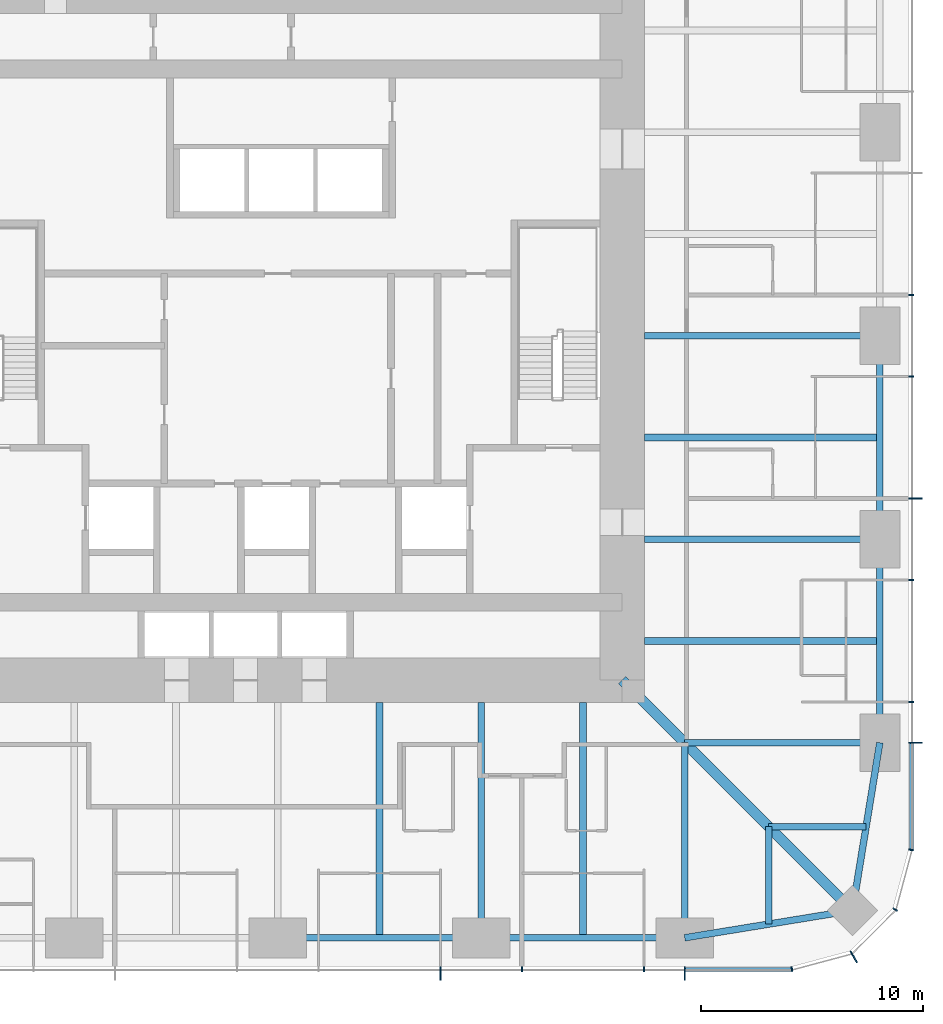
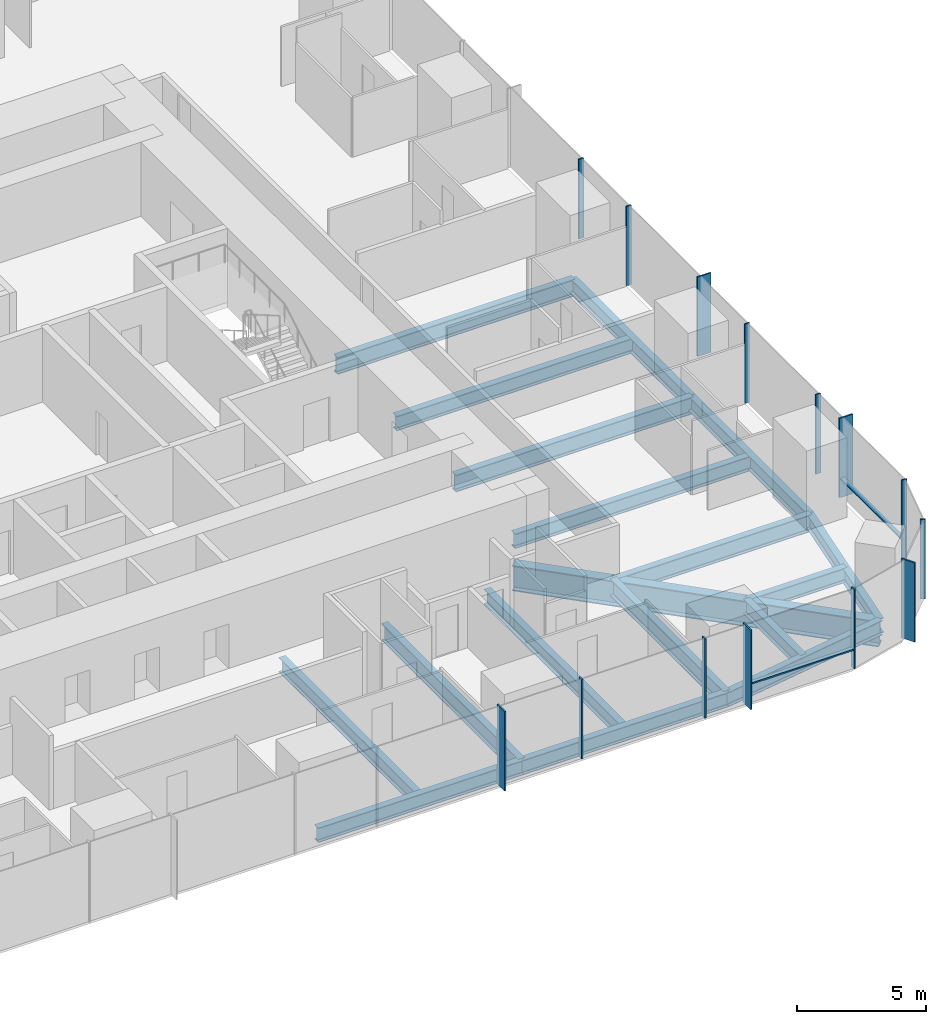
# One storey, part 4 of 13: 18 beams, 16 members, 3 elements without a shape of their own.
"""IFC4 building model written with IfcOpenShell, lengths in metres."""

from ifc_helpers import new_model, si_unit, direction, frame, origin, origin_2d, place, context, subcontext, project, spatial, rectangle, i_section, extrude, material, material_profile, profile_set, type_object, element, aggregate, save


model = new_model("IFC4")

# Units and contexts
model_context = context("Model", 3, precision=1e-05, world=origin(), true_north=direction((0.0, 1.0)))
body_context = subcontext(model_context, "Body", "Model", "MODEL_VIEW")
ifc_project = project(units=[si_unit("LENGTHUNIT", "METRE"), si_unit("AREAUNIT", "SQUARE_METRE"), si_unit("VOLUMEUNIT", "CUBIC_METRE"), si_unit("PLANEANGLEUNIT", "RADIAN"), si_unit("MASSUNIT", "GRAM", prefix="KILO")], contexts=[model_context])

# Site, building, storey
site_placement = place(None, origin())
site = spatial("IfcSite", under=ifc_project, at=site_placement, CompositionType="ELEMENT")
building_placement = place(site_placement, origin())
building = spatial("IfcBuilding", under=site, at=building_placement, Name="Khuree Lantern Residences", CompositionType="ELEMENT")
storey_placement = place(building_placement, frame((0.0, 0.0, 163.5)))
storey = spatial("IfcBuildingStorey", under=building, at=storey_placement, Name="L41", CompositionType="ELEMENT", Elevation=163.5)

# Beams
ifc_material_1 = material(Name="Steel S355", Category="steel")
ifc_material_profile_1 = material_profile(ifc_material_1, i_section(OverallWidth=0.300048828125, OverallDepth=0.68994140625, WebThickness=0.014404296875, FlangeThickness=0.027099609375, FilletRadius=0.027099609375, at=origin_2d()), Name="HE 700 A")
ifc_profile_set_1 = profile_set([ifc_material_profile_1], Name="Steel S355")
beam_type_1 = type_object("IfcBeamType", Name="B-24 SECONDARY BEAM HE 700 A", PredefinedType="BEAM", material=ifc_profile_set_1)
for number, where, z_axis, x_axis, name in (
    (1, (27.10009765625, -4.580078125, -0.594970703125), (-1.0, 0.0, 0.0), (0.0, -1.0, 0.0), "Secondary beam E4"),
    (2, (27.10009765625, -13.739990234375, -0.594970703125), (-1.0, 0.0, 0.0), (0.0, -1.0, 0.0), "Secondary beam E5"),
):
    element("IfcBeam", number, at=place(storey_placement, frame(where, z_axis=z_axis, x_axis=x_axis)), inside=storey, type_object=beam_type_1, Name=name, PredefinedType="BEAM", context=body_context, shape_type="SweptSolid", body=[
        extrude(i_section(OverallWidth=0.300048828125, OverallDepth=0.68994140625, WebThickness=0.014404296875, FlangeThickness=0.027099609375, FilletRadius=0.027099609375, at=origin_2d()), origin(), (0.0, 0.0, 1.0), 10.60009765625),
    ])
for number, where, z_axis, x_axis, name in (
    (3, (26.48486328125, -22.094970703125, -0.594970703125), (-1.0, 0.0, 0.0), (0.0, -1.0, 0.0), "Secondary beam E6"),
    (4, (22.094970703125, -26.48486328125, -0.594970703125), (0.0, 1.0, 0.0), (-1.0, 0.0, 0.0), "Secondary beam S1"),
):
    element("IfcBeam", number, at=place(storey_placement, frame(where, z_axis=z_axis, x_axis=x_axis)), inside=storey, type_object=beam_type_1, Name=name, PredefinedType="BEAM", context=body_context, shape_type="SweptSolid", body=[
        extrude(i_section(OverallWidth=0.300048828125, OverallDepth=0.68994140625, WebThickness=0.014404296875, FlangeThickness=0.027099609375, FilletRadius=0.027099609375, at=origin_2d()), origin(), (0.0, 0.0, 1.0), 4.389892578125),
    ])
for number, where, z_axis, x_axis, name in (
    (5, (13.739990234375, -27.10009765625, -0.594970703125), (0.0, 1.0, 0.0), (-1.0, 0.0, 0.0), "Secondary beam S2"),
    (6, (4.580078125, -27.10009765625, -0.594970703125), (0.0, 1.0, 0.0), (-1.0, 0.0, 0.0), "Secondary beam S3"),
):
    element("IfcBeam", number, at=place(storey_placement, frame(where, z_axis=z_axis, x_axis=x_axis)), inside=storey, type_object=beam_type_1, Name=name, PredefinedType="BEAM", context=body_context, shape_type="SweptSolid", body=[
        extrude(i_section(OverallWidth=0.300048828125, OverallDepth=0.68994140625, WebThickness=0.014404296875, FlangeThickness=0.027099609375, FilletRadius=0.027099609375, at=origin_2d()), origin(), (0.0, 0.0, 1.0), 10.60009765625),
    ])
ifc_material_profile_2 = material_profile(ifc_material_1, i_section(OverallWidth=0.300048828125, OverallDepth=0.68994140625, WebThickness=0.014404296875, FlangeThickness=0.027099609375, FilletRadius=0.027099609375, at=origin_2d()), Name="HE 700 A")
ifc_profile_set_2 = profile_set([ifc_material_profile_2], Name="Steel S355")
beam_type_2 = type_object("IfcBeamType", Name="E-24 SPANDREL BEAM HE 700 A", PredefinedType="SPANDREL", material=ifc_profile_set_2)
beam_1_placement = place(storey_placement, frame((27.10009765625, 0.0, -0.594970703125), z_axis=(0.0, -1.0, 0.0), x_axis=(1.0, 0.0, 0.0)))
element("IfcBeam", 7, at=beam_1_placement, inside=storey, type_object=beam_type_2, Name="Spandrel beam E4", PredefinedType="SPANDREL", context=body_context, shape_type="SweptSolid", body=[
    extrude(i_section(OverallWidth=0.300048828125, OverallDepth=0.68994140625, WebThickness=0.014404296875, FlangeThickness=0.027099609375, FilletRadius=0.027099609375, at=origin_2d()), origin(), (0.0, 0.0, 1.0), 9.159912109375),
])
beam_2_placement = place(storey_placement, frame((27.10009765625, -9.159912109375, -0.594970703125), z_axis=(0.0, -1.0, 0.0), x_axis=(1.0, 0.0, 0.0)))
element("IfcBeam", 8, at=beam_2_placement, inside=storey, type_object=beam_type_2, Name="Spandrel beam E5", PredefinedType="SPANDREL", context=body_context, shape_type="SweptSolid", body=[
    extrude(i_section(OverallWidth=0.300048828125, OverallDepth=0.68994140625, WebThickness=0.014404296875, FlangeThickness=0.027099609375, FilletRadius=0.027099609375, at=origin_2d()), origin(), (0.0, 0.0, 1.0), 9.16015625),
])
for number, where, z_axis, x_axis, name in (
    (9, (27.10009765625, -18.320068359375, -0.594970703125), (-0.160826723833, -0.986982656839, 0.0), (0.986982656839, -0.160826723833, 0.0), "Spandrel beam E6"),
    (10, (25.869873046875, -25.869873046875, -0.594970703125), (-0.986982656839, -0.160826723833, 0.0), (0.160826723833, -0.986982656839, 0.0), "Spandrel beam S1"),
):
    element("IfcBeam", number, at=place(storey_placement, frame(where, z_axis=z_axis, x_axis=x_axis)), inside=storey, type_object=beam_type_2, Name=name, PredefinedType="SPANDREL", context=body_context, shape_type="SweptSolid", body=[
        extrude(i_section(OverallWidth=0.300048828125, OverallDepth=0.68994140625, WebThickness=0.014404296875, FlangeThickness=0.027099609375, FilletRadius=0.027099609375, at=origin_2d()), origin(), (0.0, 0.0, 1.0), 7.6494140625),
    ])
beam_3_placement = place(storey_placement, frame((18.320068359375, -27.10009765625, -0.594970703125), z_axis=(-1.0, 0.0, 0.0), x_axis=(0.0, -1.0, 0.0)))
element("IfcBeam", 11, at=beam_3_placement, inside=storey, type_object=beam_type_2, Name="Spandrel beam S2", PredefinedType="SPANDREL", context=body_context, shape_type="SweptSolid", body=[
    extrude(i_section(OverallWidth=0.300048828125, OverallDepth=0.68994140625, WebThickness=0.014404296875, FlangeThickness=0.027099609375, FilletRadius=0.027099609375, at=origin_2d()), origin(), (0.0, 0.0, 1.0), 9.16015625),
])
beam_4_placement = place(storey_placement, frame((9.159912109375, -27.10009765625, -0.594970703125), z_axis=(-1.0, 0.0, 0.0), x_axis=(0.0, -1.0, 0.0)))
element("IfcBeam", 12, at=beam_4_placement, inside=storey, type_object=beam_type_2, Name="Spandrel beam S3", PredefinedType="SPANDREL", context=body_context, shape_type="SweptSolid", body=[
    extrude(i_section(OverallWidth=0.300048828125, OverallDepth=0.68994140625, WebThickness=0.014404296875, FlangeThickness=0.027099609375, FilletRadius=0.027099609375, at=origin_2d()), origin(), (0.0, 0.0, 1.0), 9.159912109375),
])

# Curtain wall, member
ifc_material_2 = material(Name="Bronze anodised aluminium", Category="aluminium")
curtain_wall_type_1 = type_object("IfcCurtainWallType", Name="CW-T2 TOWER CORNER CURTAIN WALL", PredefinedType="USERDEFINED", material=ifc_material_2)
curtain_wall_1_placement = place(storey_placement, origin())
curtain_wall_1 = element("IfcCurtainWall", 13, at=curtain_wall_1_placement, inside=storey, type_object=curtain_wall_type_1, Name="L41 SOUTH-EAST CORNER CURTAIN WALL", ObjectType="Faceted corner curtain wall", PredefinedType="USERDEFINED")
ifc_material_profile_3 = material_profile(ifc_material_2, rectangle(XDim=0.06494140625, YDim=0.60009765625, at=origin_2d()), Name="F1 65X600")
ifc_profile_set_3 = profile_set([ifc_material_profile_3], Name="Bronze anodised aluminium")
member_type_1 = type_object("IfcMemberType", Name="F1 BRONZE FIN MULLION TOWER 65X600", PredefinedType="MULLION", material=ifc_profile_set_3)
member_1_placement = place(storey_placement, frame((25.925048828125, -27.95654296875, 0.0), z_axis=(0.0, 0.0, 1.0), x_axis=(0.866025388199, 0.500000026995, 0.0)))
member_1 = element("IfcMember", 14, at=member_1_placement, type_object=member_type_1, Name="L41 SOUTH-EAST CORNER FIN MULLION 2", PredefinedType="MULLION", context=body_context, shape_type="SweptSolid", body=[
    extrude(rectangle(XDim=0.06494140625, YDim=0.60009765625, at=origin_2d()), origin(), (0.0, 0.0, 1.0), 3.75),
])

# Curtain wall, members
curtain_wall_type_2 = type_object("IfcCurtainWallType", Name="CW-T1 TOWER FACE CURTAIN WALL", PredefinedType="USERDEFINED", material=ifc_material_2)
curtain_wall_2_placement = place(storey_placement, origin())
curtain_wall_2 = element("IfcCurtainWall", 15, at=curtain_wall_2_placement, inside=storey, type_object=curtain_wall_type_2, Name="L41 EAST FACE CURTAIN WALL", ObjectType="Stick-built curtain wall", PredefinedType="USERDEFINED")
member_2_placement = place(storey_placement, frame((28.699951171875, -18.320068359375, 0.0), z_axis=(0.0, 0.0, 1.0), x_axis=(0.0, 1.0, 0.0)))
member_2 = element("IfcMember", 16, at=member_2_placement, type_object=member_type_1, Name="L41 EAST FACE FIN MULLION 5", PredefinedType="MULLION", context=body_context, shape_type="SweptSolid", body=[
    extrude(rectangle(XDim=0.06494140625, YDim=0.60009765625, at=origin_2d()), origin(), (0.0, 0.0, 1.0), 3.75),
])
member_3_placement = place(storey_placement, frame((28.699951171875, -7.327880859375, 0.0), z_axis=(0.0, 0.0, 1.0), x_axis=(0.0, 1.0, 0.0)))
member_3 = element("IfcMember", 17, at=member_3_placement, type_object=member_type_1, Name="L41 EAST FACE FIN MULLION 8", PredefinedType="MULLION", context=body_context, shape_type="SweptSolid", body=[
    extrude(rectangle(XDim=0.06494140625, YDim=0.60009765625, at=origin_2d()), origin(), (0.0, 0.0, 1.0), 3.75),
])

curtain_wall_3_placement = place(storey_placement, origin())
curtain_wall_3 = element("IfcCurtainWall", 18, at=curtain_wall_3_placement, inside=storey, type_object=curtain_wall_type_2, Name="L41 SOUTH FACE CURTAIN WALL", ObjectType="Stick-built curtain wall", PredefinedType="USERDEFINED")
member_4_placement = place(storey_placement, frame((7.327880859375, -28.699951171875, 0.0), z_axis=(0.0, 0.0, 1.0), x_axis=(1.0, 0.0, 0.0)))
member_4 = element("IfcMember", 19, at=member_4_placement, type_object=member_type_1, Name="L41 SOUTH FACE FIN MULLION 53", PredefinedType="MULLION", context=body_context, shape_type="SweptSolid", body=[
    extrude(rectangle(XDim=0.06494140625, YDim=0.60009765625, at=origin_2d()), origin(), (0.0, 0.0, 1.0), 3.75),
])
member_5_placement = place(storey_placement, frame((18.320068359375, -28.699951171875, 0.0), z_axis=(0.0, 0.0, 1.0), x_axis=(1.0, 0.0, 0.0)))
member_5 = element("IfcMember", 20, at=member_5_placement, type_object=member_type_1, Name="L41 SOUTH FACE FIN MULLION 56", PredefinedType="MULLION", context=body_context, shape_type="SweptSolid", body=[
    extrude(rectangle(XDim=0.06494140625, YDim=0.60009765625, at=origin_2d()), origin(), (0.0, 0.0, 1.0), 3.75),
])

# Beams
ifc_material_profile_4 = material_profile(ifc_material_1, i_section(OverallWidth=0.300048828125, OverallDepth=0.800048828125, WebThickness=0.017578125, FlangeThickness=0.032958984375, FilletRadius=0.030029296875, at=origin_2d()), Name="HE 800 B")
ifc_profile_set_4 = profile_set([ifc_material_profile_4], Name="Steel S355")
beam_type_3 = type_object("IfcBeamType", Name="G-24 GIRDER HE 800 B", PredefinedType="BEAM", material=ifc_profile_set_4)
for number, where, z_axis, x_axis, name in (
    (21, (27.10009765625, 0.0, -0.64990234375), (-1.0, 0.0, 0.0), (0.0, -1.0, 0.0), "Girder E3"),
    (22, (27.10009765625, -9.159912109375, -0.64990234375), (-1.0, 0.0, 0.0), (0.0, -1.0, 0.0), "Girder E4"),
):
    element("IfcBeam", number, at=place(storey_placement, frame(where, z_axis=z_axis, x_axis=x_axis)), inside=storey, type_object=beam_type_3, Name=name, PredefinedType="BEAM", context=body_context, shape_type="SweptSolid", body=[
        extrude(i_section(OverallWidth=0.300048828125, OverallDepth=0.800048828125, WebThickness=0.017578125, FlangeThickness=0.032958984375, FilletRadius=0.030029296875, at=origin_2d()), origin(), (0.0, 0.0, 1.0), 10.60009765625),
    ])
for number, where, z_axis, x_axis, name in (
    (23, (27.10009765625, -18.320068359375, -0.64990234375), (-1.0, 0.0, 0.0), (0.0, -1.0, 0.0), "Girder E5"),
    (24, (18.320068359375, -27.10009765625, -0.64990234375), (0.0, 1.0, 0.0), (-1.0, 0.0, 0.0), "Girder S1"),
):
    element("IfcBeam", number, at=place(storey_placement, frame(where, z_axis=z_axis, x_axis=x_axis)), inside=storey, type_object=beam_type_3, Name=name, PredefinedType="BEAM", context=body_context, shape_type="SweptSolid", body=[
        extrude(i_section(OverallWidth=0.300048828125, OverallDepth=0.800048828125, WebThickness=0.017578125, FlangeThickness=0.032958984375, FilletRadius=0.030029296875, at=origin_2d()), origin(), (0.0, 0.0, 1.0), 8.780029296875),
    ])
beam_5_placement = place(storey_placement, frame((9.159912109375, -27.10009765625, -0.64990234375), z_axis=(0.0, 1.0, 0.0), x_axis=(-1.0, 0.0, 0.0)))
element("IfcBeam", 25, at=beam_5_placement, inside=storey, type_object=beam_type_3, Name="Girder S2", PredefinedType="BEAM", context=body_context, shape_type="SweptSolid", body=[
    extrude(i_section(OverallWidth=0.300048828125, OverallDepth=0.800048828125, WebThickness=0.017578125, FlangeThickness=0.032958984375, FilletRadius=0.030029296875, at=origin_2d()), origin(), (0.0, 0.0, 1.0), 10.60009765625),
])
ifc_material_profile_5 = material_profile(ifc_material_1, i_section(OverallWidth=0.449951171875, OverallDepth=1.199951171875, WebThickness=0.02490234375, FlangeThickness=0.044921875, at=origin_2d()), Name="WELDED I 1200X450X25X45")
ifc_profile_set_5 = profile_set([ifc_material_profile_5], Name="Steel S355")
beam_type_4 = type_object("IfcBeamType", Name="GD-24 CORNER GIRDER WELDED I 1200X450X25X45", PredefinedType="BEAM", material=ifc_profile_set_5)
beam_6_placement = place(storey_placement, frame((25.869873046875, -25.869873046875, -0.85009765625), z_axis=(-0.707106781187, 0.707106781187, 0.0), x_axis=(-0.707106781187, -0.707106781187, 0.0)))
element("IfcBeam", 26, at=beam_6_placement, inside=storey, type_object=beam_type_4, Name="Corner girder SE", PredefinedType="BEAM", context=body_context, shape_type="SweptSolid", body=[
    extrude(i_section(OverallWidth=0.449951171875, OverallDepth=1.199951171875, WebThickness=0.02490234375, FlangeThickness=0.044921875, at=origin_2d()), origin(), (0.0, 0.0, 1.0), 14.665283203125),
])

# Member
ifc_material_profile_6 = material_profile(ifc_material_2, rectangle(XDim=0.06494140625, YDim=0.219970703125, at=origin_2d()), Name="M1 65X220")
ifc_profile_set_6 = profile_set([ifc_material_profile_6], Name="Bronze anodised aluminium")
member_type_2 = type_object("IfcMemberType", Name="M1 BRONZE MULLION TOWER 65X220", PredefinedType="MULLION", material=ifc_profile_set_6)
member_6_placement = place(storey_placement, frame((23.14501953125, -28.51171875, 0.0), z_axis=(0.0, 0.0, 1.0), x_axis=(0.991444857305, 0.130526223125, 0.0)))
member_6 = element("IfcMember", 27, at=member_6_placement, type_object=member_type_2, Name="L41 SOUTH-EAST CORNER MULLION 1", PredefinedType="MULLION", context=body_context, shape_type="SweptSolid", body=[
    extrude(rectangle(XDim=0.06494140625, YDim=0.219970703125, at=origin_2d()), origin(), (0.0, 0.0, 1.0), 3.75),
])

member_7_placement = place(storey_placement, frame((27.7919921875, -25.830078125, 0.0), z_axis=(0.0, 0.0, 1.0), x_axis=(0.500000026995, 0.866025388199, 0.0)))
member_7 = element("IfcMember", 28, at=member_7_placement, type_object=member_type_2, Name="L41 SOUTH-EAST CORNER MULLION 3", PredefinedType="MULLION", context=body_context, shape_type="SweptSolid", body=[
    extrude(rectangle(XDim=0.06494140625, YDim=0.219970703125, at=origin_2d()), origin(), (0.0, 0.0, 1.0), 3.75),
])

aggregate(curtain_wall_1, [member_6, member_1, member_7])

member_8_placement = place(storey_placement, frame((28.51171875, -23.14501953125, 0.0), z_axis=(0.0, 0.0, 1.0), x_axis=(0.130526223125, 0.991444857305, 0.0)))
member_8 = element("IfcMember", 29, at=member_8_placement, type_object=member_type_2, Name="L41 EAST FACE MULLION 4", PredefinedType="MULLION", context=body_context, shape_type="SweptSolid", body=[
    extrude(rectangle(XDim=0.06494140625, YDim=0.219970703125, at=origin_2d()), origin(), (0.0, 0.0, 1.0), 3.75),
])

member_9_placement = place(storey_placement, frame((28.510009765625, -16.488037109375, 0.0), z_axis=(0.0, 0.0, 1.0), x_axis=(0.0, 1.0, 0.0)))
member_9 = element("IfcMember", 30, at=member_9_placement, type_object=member_type_2, Name="L41 EAST FACE MULLION 6", PredefinedType="MULLION", context=body_context, shape_type="SweptSolid", body=[
    extrude(rectangle(XDim=0.06494140625, YDim=0.219970703125, at=origin_2d()), origin(), (0.0, 0.0, 1.0), 3.75),
])

member_10_placement = place(storey_placement, frame((28.510009765625, -10.991943359375, 0.0), z_axis=(0.0, 0.0, 1.0), x_axis=(0.0, 1.0, 0.0)))
member_10 = element("IfcMember", 31, at=member_10_placement, type_object=member_type_2, Name="L41 EAST FACE MULLION 7", PredefinedType="MULLION", context=body_context, shape_type="SweptSolid", body=[
    extrude(rectangle(XDim=0.06494140625, YDim=0.219970703125, at=origin_2d()), origin(), (0.0, 0.0, 1.0), 3.75),
])

member_11_placement = place(storey_placement, frame((28.510009765625, -1.83203125, 0.0), z_axis=(0.0, 0.0, 1.0), x_axis=(0.0, 1.0, 0.0)))
member_11 = element("IfcMember", 32, at=member_11_placement, type_object=member_type_2, Name="L41 EAST FACE MULLION 9", PredefinedType="MULLION", context=body_context, shape_type="SweptSolid", body=[
    extrude(rectangle(XDim=0.06494140625, YDim=0.219970703125, at=origin_2d()), origin(), (0.0, 0.0, 1.0), 3.75),
])

member_12_placement = place(storey_placement, frame((28.510009765625, 1.83203125, 0.0), z_axis=(0.0, 0.0, 1.0), x_axis=(0.0, 1.0, 0.0)))
member_12 = element("IfcMember", 33, at=member_12_placement, type_object=member_type_2, Name="L41 EAST FACE MULLION 10", PredefinedType="MULLION", context=body_context, shape_type="SweptSolid", body=[
    extrude(rectangle(XDim=0.06494140625, YDim=0.219970703125, at=origin_2d()), origin(), (0.0, 0.0, 1.0), 3.75),
])

member_13_placement = place(storey_placement, frame((10.991943359375, -28.510009765625, 0.0), z_axis=(0.0, 0.0, 1.0), x_axis=(1.0, 0.0, 0.0)))
member_13 = element("IfcMember", 34, at=member_13_placement, type_object=member_type_2, Name="L41 SOUTH FACE MULLION 54", PredefinedType="MULLION", context=body_context, shape_type="SweptSolid", body=[
    extrude(rectangle(XDim=0.06494140625, YDim=0.219970703125, at=origin_2d()), origin(), (0.0, 0.0, 1.0), 3.75),
])

member_14_placement = place(storey_placement, frame((16.488037109375, -28.510009765625, 0.0), z_axis=(0.0, 0.0, 1.0), x_axis=(1.0, 0.0, 0.0)))
member_14 = element("IfcMember", 35, at=member_14_placement, type_object=member_type_2, Name="L41 SOUTH FACE MULLION 55", PredefinedType="MULLION", context=body_context, shape_type="SweptSolid", body=[
    extrude(rectangle(XDim=0.06494140625, YDim=0.219970703125, at=origin_2d()), origin(), (0.0, 0.0, 1.0), 3.75),
])

ifc_material_profile_7 = material_profile(ifc_material_2, rectangle(XDim=0.179931640625, YDim=0.06494140625, at=origin_2d()), Name="T1 180X65")
ifc_profile_set_7 = profile_set([ifc_material_profile_7], Name="Bronze anodised aluminium")
member_type_3 = type_object("IfcMemberType", Name="TRANSOM T1 TOWER 180X65", PredefinedType="USERDEFINED", material=ifc_profile_set_7)
member_15_placement = place(storey_placement, frame((28.52001953125, -23.101318359375, 0.89990234375), z_axis=(0.0, 1.0, 0.0), x_axis=(-1.0, 0.0, 0.0)))
member_15 = element("IfcMember", 36, at=member_15_placement, type_object=member_type_3, Name="L41 EAST FACE TRANSOM 4.1", ObjectType="Transom", PredefinedType="USERDEFINED", context=body_context, shape_type="SweptSolid", body=[
    extrude(rectangle(XDim=0.179931640625, YDim=0.06494140625, at=origin_2d()), origin(), (0.0, 0.0, 1.0), 4.748779296875),
])

aggregate(curtain_wall_2, [member_8, member_2, member_9, member_10, member_3, member_11, member_12, member_15])

member_16_placement = place(storey_placement, frame((18.3525390625, -28.52001953125, 0.89990234375), z_axis=(1.0, 0.0, 0.0), x_axis=(0.0, 1.0, 0.0)))
member_16 = element("IfcMember", 37, at=member_16_placement, type_object=member_type_3, Name="L41 SOUTH FACE TRANSOM 56.1", ObjectType="Transom", PredefinedType="USERDEFINED", context=body_context, shape_type="SweptSolid", body=[
    extrude(rectangle(XDim=0.179931640625, YDim=0.06494140625, at=origin_2d()), origin(), (0.0, 0.0, 1.0), 4.748779296875),
])

aggregate(curtain_wall_3, [member_4, member_13, member_14, member_5, member_16])

save(model, "model.ifc")
